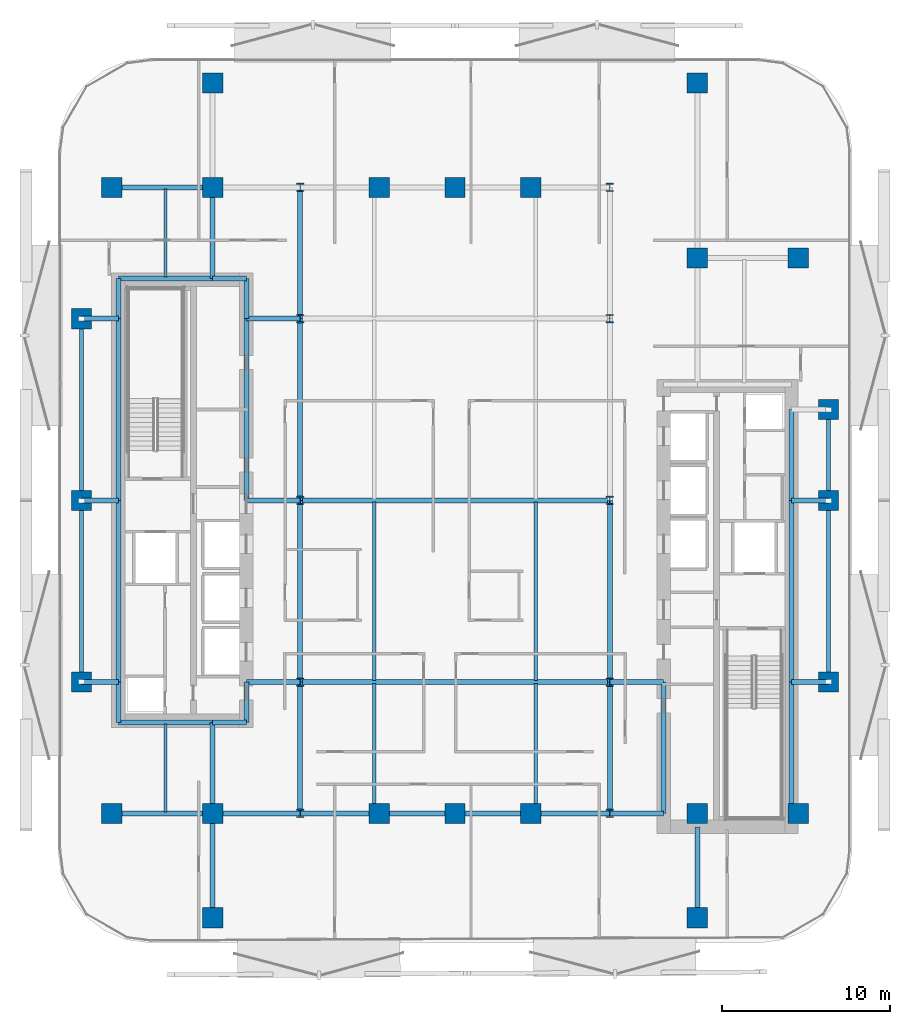
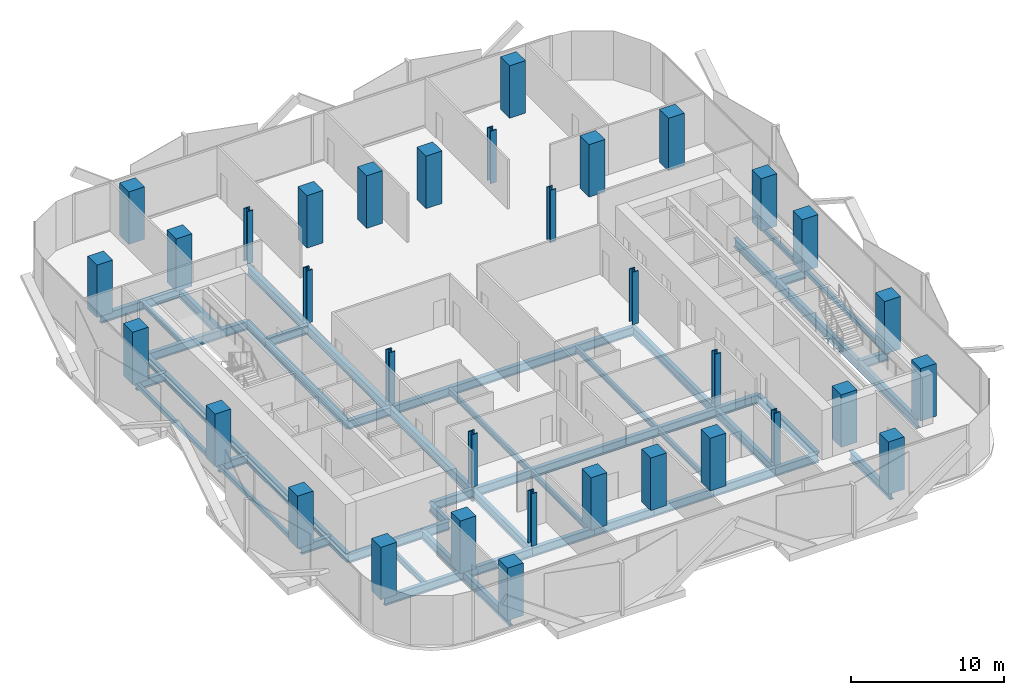
# One storey, part 1 of 16: 54 beams, 34 columns.
"""IFC4 building model written with IfcOpenShell, lengths in metres."""

from ifc_helpers import new_model, si_unit, direction, frame, origin, origin_2d, place, context, subcontext, project, spatial, rectangle, hollow_rectangle, i_section, extrude, material, material_profile, profile_set, type_object, element, save


model = new_model("IFC4")

# Units and contexts
model_context = context("Model", 3, precision=1e-05, world=origin(), true_north=direction((0.0, 1.0)))
body_context = subcontext(model_context, "Body", "Model", "MODEL_VIEW")
ifc_project = project(units=[si_unit("LENGTHUNIT", "METRE"), si_unit("AREAUNIT", "SQUARE_METRE"), si_unit("VOLUMEUNIT", "CUBIC_METRE"), si_unit("PLANEANGLEUNIT", "RADIAN"), si_unit("MASSUNIT", "GRAM", prefix="KILO")], contexts=[model_context])

# Site, building, storey
site_placement = place(None, origin())
site = spatial("IfcSite", under=ifc_project, at=site_placement, CompositionType="ELEMENT")
building_placement = place(site_placement, origin())
building = spatial("IfcBuilding", under=site, at=building_placement, Name="Khairoan Windgate Tower", CompositionType="ELEMENT")
storey_placement = place(building_placement, frame((0.0, 0.0, 139.39990234375)))
storey = spatial("IfcBuildingStorey", under=building, at=storey_placement, Name="L32", CompositionType="ELEMENT", Elevation=139.39990234375)

# Columns
ifc_material_1 = material(Name="Concrete C60/75", Category="concrete")
ifc_material_profile_1 = material_profile(ifc_material_1, rectangle(XDim=1.199951171875, YDim=1.199951171875, at=origin_2d()))
ifc_profile_set_1 = profile_set([ifc_material_profile_1], Name="Concrete C60/75")
column_type_1 = type_object("IfcColumnType", Name="Column C-T3 RC1200x1200", PredefinedType="COLUMN", material=ifc_profile_set_1)
for number, where, z_axis, x_axis, name in (
    (1, (-20.39990234375, -18.60009765625, 0.0), (0.0, 0.0, 1.0), (1.0, 0.0, 0.0), "Column L32-11"),
    (2, (-20.39990234375, 18.60009765625, 0.0), (0.0, 0.0, 1.0), (1.0, 0.0, 0.0), "Column L32-12"),
    (3, (20.39990234375, -18.60009765625, 0.0), (0.0, 0.0, 1.0), (1.0, 0.0, 0.0), "Column L32-13"),
    (4, (20.39990234375, 14.39990234375, 0.0), (0.0, 0.0, 1.0), (1.0, 0.0, 0.0), "Column L32-14"),
    (5, (-14.39990234375, -18.60009765625, 0.0), (0.0, 0.0, 1.0), (1.0, 0.0, 0.0), "Column L32-15"),
    (6, (-14.39990234375, 18.60009765625, 0.0), (0.0, 0.0, 1.0), (1.0, 0.0, 0.0), "Column L32-16"),
    (7, (14.39990234375, -18.60009765625, 0.0), (0.0, 0.0, 1.0), (1.0, 0.0, 0.0), "Column L32-17"),
    (8, (14.39990234375, 14.39990234375, 0.0), (0.0, 0.0, 1.0), (1.0, 0.0, 0.0), "Column L32-18"),
    (9, (-4.5, -18.60009765625, 0.0), (0.0, 0.0, 1.0), (1.0, 0.0, 0.0), "Column L32-19"),
    (10, (0.0, -18.60009765625, 0.0), (0.0, 0.0, 1.0), (1.0, 0.0, 0.0), "Column L32-20"),
    (11, (4.5, -18.60009765625, 0.0), (0.0, 0.0, 1.0), (1.0, 0.0, 0.0), "Column L32-21"),
    (12, (-4.5, 18.60009765625, 0.0), (0.0, 0.0, 1.0), (1.0, 0.0, 0.0), "Column L32-22"),
    (13, (0.0, 18.60009765625, 0.0), (0.0, 0.0, 1.0), (1.0, 0.0, 0.0), "Column L32-23"),
    (14, (4.5, 18.60009765625, 0.0), (0.0, 0.0, 1.0), (1.0, 0.0, 0.0), "Column L32-24"),
    (15, (-22.199951171875, -10.800048828125, 0.0), (0.0, 0.0, 1.0), (1.0, 0.0, 0.0), "Column L32-25"),
    (16, (-22.199951171875, 0.0, 0.0), (0.0, 0.0, 1.0), (1.0, 0.0, 0.0), "Column L32-26"),
    (17, (-22.199951171875, 10.800048828125, 0.0), (0.0, 0.0, 1.0), (1.0, 0.0, 0.0), "Column L32-27"),
    (18, (22.199951171875, -10.800048828125, 0.0), (0.0, 0.0, 1.0), (1.0, 0.0, 0.0), "Column L32-28"),
    (19, (22.199951171875, 0.0, 0.0), (0.0, 0.0, 1.0), (1.0, 0.0, 0.0), "Column L32-29"),
    (20, (22.199951171875, 5.39990234375, 0.0), (0.0, 0.0, 1.0), (1.0, 0.0, 0.0), "Column L32-30"),
    (21, (-14.39990234375, -24.800048828125, 0.0), (0.0, 0.0, 1.0), (1.0, 0.0, 0.0), "Column L32-31"),
    (22, (-14.39990234375, 24.800048828125, 0.0), (0.0, 0.0, 1.0), (1.0, 0.0, 0.0), "Column L32-32"),
    (23, (14.39990234375, -24.800048828125, 0.0), (0.0, 0.0, 1.0), (1.0, 0.0, 0.0), "Column L32-33"),
    (24, (14.39990234375, 24.800048828125, 0.0), (0.0, 0.0, 1.0), (1.0, 0.0, 0.0), "Column L32-34"),
):
    element("IfcColumn", number, at=place(storey_placement, frame(where, z_axis=z_axis, x_axis=x_axis)), inside=storey, type_object=column_type_1, Name=name, PredefinedType="COLUMN", context=body_context, shape_type="SweptSolid", body=[
        extrude(rectangle(XDim=1.199951171875, YDim=1.199951171875, at=origin_2d()), origin(), (0.0, 0.0, 1.0), 4.2001953125),
    ])
ifc_material_2 = material(Name="Steel S355", Category="steel")
ifc_material_profile_2 = material_profile(ifc_material_2, i_section(OverallWidth=0.431884765625, OverallDepth=0.498046875, WebThickness=0.044921875, FlangeThickness=0.070068359375, FilletRadius=0.02197265625, at=origin_2d()))
ifc_profile_set_2 = profile_set([ifc_material_profile_2], Name="Steel S355")
column_type_2 = type_object("IfcColumnType", Name="Steel Column SC1 H498x432x45x70", PredefinedType="COLUMN", material=ifc_profile_set_2)
for number, where, z_axis, x_axis, name in (
    (25, (-9.199951171875, -18.60009765625, 0.0), (0.0, 0.0, 1.0), (1.0, 0.0, 0.0), "Column L32-01"),
    (26, (-9.199951171875, -10.800048828125, 0.0), (0.0, 0.0, 1.0), (1.0, 0.0, 0.0), "Column L32-02"),
    (27, (-9.199951171875, 0.0, 0.0), (0.0, 0.0, 1.0), (1.0, 0.0, 0.0), "Column L32-03"),
    (28, (-9.199951171875, 10.800048828125, 0.0), (0.0, 0.0, 1.0), (1.0, 0.0, 0.0), "Column L32-04"),
    (29, (-9.199951171875, 18.60009765625, 0.0), (0.0, 0.0, 1.0), (1.0, 0.0, 0.0), "Column L32-05"),
    (30, (9.199951171875, -18.60009765625, 0.0), (0.0, 0.0, 1.0), (1.0, 0.0, 0.0), "Column L32-06"),
    (31, (9.199951171875, -10.800048828125, 0.0), (0.0, 0.0, 1.0), (1.0, 0.0, 0.0), "Column L32-07"),
    (32, (9.199951171875, 0.0, 0.0), (0.0, 0.0, 1.0), (1.0, 0.0, 0.0), "Column L32-08"),
    (33, (9.199951171875, 10.800048828125, 0.0), (0.0, 0.0, 1.0), (1.0, 0.0, 0.0), "Column L32-09"),
    (34, (9.199951171875, 18.60009765625, 0.0), (0.0, 0.0, 1.0), (1.0, 0.0, 0.0), "Column L32-10"),
):
    element("IfcColumn", number, at=place(storey_placement, frame(where, z_axis=z_axis, x_axis=x_axis)), inside=storey, type_object=column_type_2, Name=name, PredefinedType="COLUMN", context=body_context, shape_type="SweptSolid", body=[
        extrude(i_section(OverallWidth=0.431884765625, OverallDepth=0.498046875, WebThickness=0.044921875, FlangeThickness=0.070068359375, FilletRadius=0.02197265625, at=origin_2d()), origin(), (0.0, 0.0, 1.0), 4.2001953125),
    ])

# Beams
ifc_material_3 = material(Name="Steel S355", Category="steel")
ifc_material_profile_3 = material_profile(ifc_material_3, i_section(OverallWidth=0.300048828125, OverallDepth=0.699951171875, WebThickness=0.012939453125, FlangeThickness=0.02392578125, FilletRadius=0.02587890625, at=origin_2d()))
ifc_profile_set_3 = profile_set([ifc_material_profile_3], Name="Steel S355")
beam_type_1 = type_object("IfcBeamType", Name="Beam B-G3 H700x300x13x24", PredefinedType="BEAM", material=ifc_profile_set_3)
beam_1_placement = place(storey_placement, frame((-20.39990234375, -18.60009765625, -0.60986328125), z_axis=(1.0, 0.0, 0.0), x_axis=(0.0, 1.0, 0.0)))
element("IfcBeam", 35, at=beam_1_placement, inside=storey, type_object=beam_type_1, Name="L32 E-W Primary Girder 01", PredefinedType="BEAM", context=body_context, shape_type="SweptSolid", body=[
    extrude(i_section(OverallWidth=0.300048828125, OverallDepth=0.699951171875, WebThickness=0.012939453125, FlangeThickness=0.02392578125, FilletRadius=0.02587890625, at=origin_2d()), origin(), (0.0, 0.0, 1.0), 6.0),
])
beam_2_placement = place(storey_placement, frame((-14.39990234375, -18.60009765625, -0.60986328125), z_axis=(1.0, 0.0, 0.0), x_axis=(0.0, 1.0, 0.0)))
element("IfcBeam", 36, at=beam_2_placement, inside=storey, type_object=beam_type_1, Name="L32 E-W Primary Girder 02", PredefinedType="BEAM", context=body_context, shape_type="SweptSolid", body=[
    extrude(i_section(OverallWidth=0.300048828125, OverallDepth=0.699951171875, WebThickness=0.012939453125, FlangeThickness=0.02392578125, FilletRadius=0.02587890625, at=origin_2d()), origin(), (0.0, 0.0, 1.0), 5.199951171875),
])
beam_3_placement = place(storey_placement, frame((-9.199951171875, -18.60009765625, -0.60986328125), z_axis=(1.0, 0.0, 0.0), x_axis=(0.0, 1.0, 0.0)))
element("IfcBeam", 37, at=beam_3_placement, inside=storey, type_object=beam_type_1, Name="L32 E-W Primary Girder 03", PredefinedType="BEAM", context=body_context, shape_type="SweptSolid", body=[
    extrude(i_section(OverallWidth=0.300048828125, OverallDepth=0.699951171875, WebThickness=0.012939453125, FlangeThickness=0.02392578125, FilletRadius=0.02587890625, at=origin_2d()), origin(), (0.0, 0.0, 1.0), 4.699951171875),
])
for number, where, z_axis, x_axis, name in (
    (38, (-4.5, -18.60009765625, -0.60986328125), (1.0, 0.0, 0.0), (0.0, 1.0, 0.0), "L32 E-W Primary Girder 04"),
    (39, (0.0, -18.60009765625, -0.60986328125), (1.0, 0.0, 0.0), (0.0, 1.0, 0.0), "L32 E-W Primary Girder 05"),
):
    element("IfcBeam", number, at=place(storey_placement, frame(where, z_axis=z_axis, x_axis=x_axis)), inside=storey, type_object=beam_type_1, Name=name, PredefinedType="BEAM", context=body_context, shape_type="SweptSolid", body=[
        extrude(i_section(OverallWidth=0.300048828125, OverallDepth=0.699951171875, WebThickness=0.012939453125, FlangeThickness=0.02392578125, FilletRadius=0.02587890625, at=origin_2d()), origin(), (0.0, 0.0, 1.0), 4.5),
    ])
beam_4_placement = place(storey_placement, frame((4.5, -18.60009765625, -0.60986328125), z_axis=(1.0, 0.0, 0.0), x_axis=(0.0, 1.0, 0.0)))
element("IfcBeam", 40, at=beam_4_placement, inside=storey, type_object=beam_type_1, Name="L32 E-W Primary Girder 06", PredefinedType="BEAM", context=body_context, shape_type="SweptSolid", body=[
    extrude(i_section(OverallWidth=0.300048828125, OverallDepth=0.699951171875, WebThickness=0.012939453125, FlangeThickness=0.02392578125, FilletRadius=0.02587890625, at=origin_2d()), origin(), (0.0, 0.0, 1.0), 4.699951171875),
])
beam_5_placement = place(storey_placement, frame((9.199951171875, -18.60009765625, -0.60986328125), z_axis=(1.0, 0.0, 0.0), x_axis=(0.0, 1.0, 0.0)))
element("IfcBeam", 41, at=beam_5_placement, inside=storey, type_object=beam_type_1, Name="L32 E-W Primary Girder 07", PredefinedType="BEAM", context=body_context, shape_type="SweptSolid", body=[
    extrude(i_section(OverallWidth=0.300048828125, OverallDepth=0.699951171875, WebThickness=0.012939453125, FlangeThickness=0.02392578125, FilletRadius=0.02587890625, at=origin_2d()), origin(), (0.0, 0.0, 1.0), 3.199951171875),
])
beam_6_placement = place(storey_placement, frame((-20.0, -13.199951171875, -0.60986328125), z_axis=(1.0, 0.0, 0.0), x_axis=(0.0, 1.0, 0.0)))
element("IfcBeam", 42, at=beam_6_placement, inside=storey, type_object=beam_type_1, Name="L32 E-W Primary Girder 08", PredefinedType="BEAM", context=body_context, shape_type="SweptSolid", body=[
    extrude(i_section(OverallWidth=0.300048828125, OverallDepth=0.699951171875, WebThickness=0.012939453125, FlangeThickness=0.02392578125, FilletRadius=0.02587890625, at=origin_2d()), origin(), (0.0, 0.0, 1.0), 5.60009765625),
])
beam_7_placement = place(storey_placement, frame((-14.39990234375, -13.199951171875, -0.60986328125), z_axis=(1.0, 0.0, 0.0), x_axis=(0.0, 1.0, 0.0)))
element("IfcBeam", 43, at=beam_7_placement, inside=storey, type_object=beam_type_1, Name="L32 E-W Primary Girder 09", PredefinedType="BEAM", context=body_context, shape_type="SweptSolid", body=[
    extrude(i_section(OverallWidth=0.300048828125, OverallDepth=0.699951171875, WebThickness=0.012939453125, FlangeThickness=0.02392578125, FilletRadius=0.02587890625, at=origin_2d()), origin(), (0.0, 0.0, 1.0), 2.0),
])
beam_8_placement = place(storey_placement, frame((-22.199951171875, -10.800048828125, -0.60986328125), z_axis=(1.0, 0.0, 0.0), x_axis=(0.0, 1.0, 0.0)))
element("IfcBeam", 44, at=beam_8_placement, inside=storey, type_object=beam_type_1, Name="L32 E-W Primary Girder 10", PredefinedType="BEAM", context=body_context, shape_type="SweptSolid", body=[
    extrude(i_section(OverallWidth=0.300048828125, OverallDepth=0.699951171875, WebThickness=0.012939453125, FlangeThickness=0.02392578125, FilletRadius=0.02587890625, at=origin_2d()), origin(), (0.0, 0.0, 1.0), 2.199951171875),
])
beam_9_placement = place(storey_placement, frame((-12.39990234375, -10.800048828125, -0.60986328125), z_axis=(1.0, 0.0, 0.0), x_axis=(0.0, 1.0, 0.0)))
element("IfcBeam", 45, at=beam_9_placement, inside=storey, type_object=beam_type_1, Name="L32 E-W Primary Girder 11", PredefinedType="BEAM", context=body_context, shape_type="SweptSolid", body=[
    extrude(i_section(OverallWidth=0.300048828125, OverallDepth=0.699951171875, WebThickness=0.012939453125, FlangeThickness=0.02392578125, FilletRadius=0.02587890625, at=origin_2d()), origin(), (0.0, 0.0, 1.0), 3.199951171875),
])
beam_10_placement = place(storey_placement, frame((-9.199951171875, -10.800048828125, -0.60986328125), z_axis=(1.0, 0.0, 0.0), x_axis=(0.0, 1.0, 0.0)))
element("IfcBeam", 46, at=beam_10_placement, inside=storey, type_object=beam_type_1, Name="L32 E-W Primary Girder 12", PredefinedType="BEAM", context=body_context, shape_type="SweptSolid", body=[
    extrude(i_section(OverallWidth=0.300048828125, OverallDepth=0.699951171875, WebThickness=0.012939453125, FlangeThickness=0.02392578125, FilletRadius=0.02587890625, at=origin_2d()), origin(), (0.0, 0.0, 1.0), 18.39990234375),
])
beam_11_placement = place(storey_placement, frame((9.199951171875, -10.800048828125, -0.60986328125), z_axis=(1.0, 0.0, 0.0), x_axis=(0.0, 1.0, 0.0)))
element("IfcBeam", 47, at=beam_11_placement, inside=storey, type_object=beam_type_1, Name="L32 E-W Primary Girder 13", PredefinedType="BEAM", context=body_context, shape_type="SweptSolid", body=[
    extrude(i_section(OverallWidth=0.300048828125, OverallDepth=0.699951171875, WebThickness=0.012939453125, FlangeThickness=0.02392578125, FilletRadius=0.02587890625, at=origin_2d()), origin(), (0.0, 0.0, 1.0), 3.199951171875),
])
for number, where, z_axis, x_axis, name in (
    (48, (20.0, -10.800048828125, -0.60986328125), (1.0, 0.0, 0.0), (0.0, 1.0, 0.0), "L32 E-W Primary Girder 14"),
    (49, (-22.199951171875, 0.0, -0.60986328125), (1.0, 0.0, 0.0), (0.0, 1.0, 0.0), "L32 E-W Primary Girder 15"),
):
    element("IfcBeam", number, at=place(storey_placement, frame(where, z_axis=z_axis, x_axis=x_axis)), inside=storey, type_object=beam_type_1, Name=name, PredefinedType="BEAM", context=body_context, shape_type="SweptSolid", body=[
        extrude(i_section(OverallWidth=0.300048828125, OverallDepth=0.699951171875, WebThickness=0.012939453125, FlangeThickness=0.02392578125, FilletRadius=0.02587890625, at=origin_2d()), origin(), (0.0, 0.0, 1.0), 2.199951171875),
    ])
beam_12_placement = place(storey_placement, frame((-12.39990234375, 0.0, -0.60986328125), z_axis=(1.0, 0.0, 0.0), x_axis=(0.0, 1.0, 0.0)))
element("IfcBeam", 50, at=beam_12_placement, inside=storey, type_object=beam_type_1, Name="L32 E-W Primary Girder 16", PredefinedType="BEAM", context=body_context, shape_type="SweptSolid", body=[
    extrude(i_section(OverallWidth=0.300048828125, OverallDepth=0.699951171875, WebThickness=0.012939453125, FlangeThickness=0.02392578125, FilletRadius=0.02587890625, at=origin_2d()), origin(), (0.0, 0.0, 1.0), 3.199951171875),
])
beam_13_placement = place(storey_placement, frame((-9.199951171875, 0.0, -0.60986328125), z_axis=(1.0, 0.0, 0.0), x_axis=(0.0, 1.0, 0.0)))
element("IfcBeam", 51, at=beam_13_placement, inside=storey, type_object=beam_type_1, Name="L32 E-W Primary Girder 17", PredefinedType="BEAM", context=body_context, shape_type="SweptSolid", body=[
    extrude(i_section(OverallWidth=0.300048828125, OverallDepth=0.699951171875, WebThickness=0.012939453125, FlangeThickness=0.02392578125, FilletRadius=0.02587890625, at=origin_2d()), origin(), (0.0, 0.0, 1.0), 18.39990234375),
])
for number, where, z_axis, x_axis, name in (
    (52, (20.0, 0.0, -0.60986328125), (1.0, 0.0, 0.0), (0.0, 1.0, 0.0), "L32 E-W Primary Girder 18"),
    (53, (-22.199951171875, 10.800048828125, -0.60986328125), (1.0, 0.0, 0.0), (0.0, 1.0, 0.0), "L32 E-W Primary Girder 22"),
):
    element("IfcBeam", number, at=place(storey_placement, frame(where, z_axis=z_axis, x_axis=x_axis)), inside=storey, type_object=beam_type_1, Name=name, PredefinedType="BEAM", context=body_context, shape_type="SweptSolid", body=[
        extrude(i_section(OverallWidth=0.300048828125, OverallDepth=0.699951171875, WebThickness=0.012939453125, FlangeThickness=0.02392578125, FilletRadius=0.02587890625, at=origin_2d()), origin(), (0.0, 0.0, 1.0), 2.199951171875),
    ])
beam_14_placement = place(storey_placement, frame((-12.39990234375, 10.800048828125, -0.60986328125), z_axis=(1.0, 0.0, 0.0), x_axis=(0.0, 1.0, 0.0)))
element("IfcBeam", 54, at=beam_14_placement, inside=storey, type_object=beam_type_1, Name="L32 E-W Primary Girder 23", PredefinedType="BEAM", context=body_context, shape_type="SweptSolid", body=[
    extrude(i_section(OverallWidth=0.300048828125, OverallDepth=0.699951171875, WebThickness=0.012939453125, FlangeThickness=0.02392578125, FilletRadius=0.02587890625, at=origin_2d()), origin(), (0.0, 0.0, 1.0), 3.199951171875),
])
beam_15_placement = place(storey_placement, frame((-20.0, 13.199951171875, -0.60986328125), z_axis=(1.0, 0.0, 0.0), x_axis=(0.0, 1.0, 0.0)))
element("IfcBeam", 55, at=beam_15_placement, inside=storey, type_object=beam_type_1, Name="L32 E-W Primary Girder 25", PredefinedType="BEAM", context=body_context, shape_type="SweptSolid", body=[
    extrude(i_section(OverallWidth=0.300048828125, OverallDepth=0.699951171875, WebThickness=0.012939453125, FlangeThickness=0.02392578125, FilletRadius=0.02587890625, at=origin_2d()), origin(), (0.0, 0.0, 1.0), 5.60009765625),
])
beam_16_placement = place(storey_placement, frame((-14.39990234375, 13.199951171875, -0.60986328125), z_axis=(1.0, 0.0, 0.0), x_axis=(0.0, 1.0, 0.0)))
element("IfcBeam", 56, at=beam_16_placement, inside=storey, type_object=beam_type_1, Name="L32 E-W Primary Girder 26", PredefinedType="BEAM", context=body_context, shape_type="SweptSolid", body=[
    extrude(i_section(OverallWidth=0.300048828125, OverallDepth=0.699951171875, WebThickness=0.012939453125, FlangeThickness=0.02392578125, FilletRadius=0.02587890625, at=origin_2d()), origin(), (0.0, 0.0, 1.0), 2.0),
])
beam_17_placement = place(storey_placement, frame((-20.39990234375, 18.60009765625, -0.60986328125), z_axis=(1.0, 0.0, 0.0), x_axis=(0.0, 1.0, 0.0)))
element("IfcBeam", 57, at=beam_17_placement, inside=storey, type_object=beam_type_1, Name="L32 E-W Primary Girder 28", PredefinedType="BEAM", context=body_context, shape_type="SweptSolid", body=[
    extrude(i_section(OverallWidth=0.300048828125, OverallDepth=0.699951171875, WebThickness=0.012939453125, FlangeThickness=0.02392578125, FilletRadius=0.02587890625, at=origin_2d()), origin(), (0.0, 0.0, 1.0), 6.0),
])
beam_18_placement = place(storey_placement, frame((-20.0, -13.199951171875, -0.60986328125), z_axis=(0.0, 1.0, 0.0), x_axis=(-1.0, 0.0, 0.0)))
element("IfcBeam", 58, at=beam_18_placement, inside=storey, type_object=beam_type_1, Name="L32 N-S Primary Beam 36", PredefinedType="BEAM", context=body_context, shape_type="SweptSolid", body=[
    extrude(i_section(OverallWidth=0.300048828125, OverallDepth=0.699951171875, WebThickness=0.012939453125, FlangeThickness=0.02392578125, FilletRadius=0.02587890625, at=origin_2d()), origin(), (0.0, 0.0, 1.0), 2.39990234375),
])
for number, where, z_axis, x_axis, name in (
    (59, (-20.0, -10.800048828125, -0.60986328125), (0.0, 1.0, 0.0), (-1.0, 0.0, 0.0), "L32 N-S Primary Beam 37"),
    (60, (-20.0, 0.0, -0.60986328125), (0.0, 1.0, 0.0), (-1.0, 0.0, 0.0), "L32 N-S Primary Beam 38"),
):
    element("IfcBeam", number, at=place(storey_placement, frame(where, z_axis=z_axis, x_axis=x_axis)), inside=storey, type_object=beam_type_1, Name=name, PredefinedType="BEAM", context=body_context, shape_type="SweptSolid", body=[
        extrude(i_section(OverallWidth=0.300048828125, OverallDepth=0.699951171875, WebThickness=0.012939453125, FlangeThickness=0.02392578125, FilletRadius=0.02587890625, at=origin_2d()), origin(), (0.0, 0.0, 1.0), 10.800048828125),
    ])
beam_19_placement = place(storey_placement, frame((-20.0, 10.800048828125, -0.60986328125), z_axis=(0.0, 1.0, 0.0), x_axis=(-1.0, 0.0, 0.0)))
element("IfcBeam", 61, at=beam_19_placement, inside=storey, type_object=beam_type_1, Name="L32 N-S Primary Beam 39", PredefinedType="BEAM", context=body_context, shape_type="SweptSolid", body=[
    extrude(i_section(OverallWidth=0.300048828125, OverallDepth=0.699951171875, WebThickness=0.012939453125, FlangeThickness=0.02392578125, FilletRadius=0.02587890625, at=origin_2d()), origin(), (0.0, 0.0, 1.0), 2.39990234375),
])
beam_20_placement = place(storey_placement, frame((-14.39990234375, -24.800048828125, -0.60986328125), z_axis=(0.0, 1.0, 0.0), x_axis=(-1.0, 0.0, 0.0)))
element("IfcBeam", 62, at=beam_20_placement, inside=storey, type_object=beam_type_1, Name="L32 N-S Primary Beam 40", PredefinedType="BEAM", context=body_context, shape_type="SweptSolid", body=[
    extrude(i_section(OverallWidth=0.300048828125, OverallDepth=0.699951171875, WebThickness=0.012939453125, FlangeThickness=0.02392578125, FilletRadius=0.02587890625, at=origin_2d()), origin(), (0.0, 0.0, 1.0), 6.199951171875),
])
for number, where, z_axis, x_axis, name in (
    (63, (-14.39990234375, -18.60009765625, -0.60986328125), (0.0, 1.0, 0.0), (-1.0, 0.0, 0.0), "L32 N-S Primary Beam 41"),
    (64, (-14.39990234375, 13.199951171875, -0.60986328125), (0.0, 1.0, 0.0), (-1.0, 0.0, 0.0), "L32 N-S Primary Beam 42"),
):
    element("IfcBeam", number, at=place(storey_placement, frame(where, z_axis=z_axis, x_axis=x_axis)), inside=storey, type_object=beam_type_1, Name=name, PredefinedType="BEAM", context=body_context, shape_type="SweptSolid", body=[
        extrude(i_section(OverallWidth=0.300048828125, OverallDepth=0.699951171875, WebThickness=0.012939453125, FlangeThickness=0.02392578125, FilletRadius=0.02587890625, at=origin_2d()), origin(), (0.0, 0.0, 1.0), 5.400146484375),
    ])
beam_21_placement = place(storey_placement, frame((-12.39990234375, -13.199951171875, -0.60986328125), z_axis=(0.0, 1.0, 0.0), x_axis=(-1.0, 0.0, 0.0)))
element("IfcBeam", 65, at=beam_21_placement, inside=storey, type_object=beam_type_1, Name="L32 N-S Primary Beam 44", PredefinedType="BEAM", context=body_context, shape_type="SweptSolid", body=[
    extrude(i_section(OverallWidth=0.300048828125, OverallDepth=0.699951171875, WebThickness=0.012939453125, FlangeThickness=0.02392578125, FilletRadius=0.02587890625, at=origin_2d()), origin(), (0.0, 0.0, 1.0), 2.39990234375),
])
beam_22_placement = place(storey_placement, frame((-12.39990234375, 0.0, -0.60986328125), z_axis=(0.0, 1.0, 0.0), x_axis=(-1.0, 0.0, 0.0)))
element("IfcBeam", 66, at=beam_22_placement, inside=storey, type_object=beam_type_1, Name="L32 N-S Primary Beam 45", PredefinedType="BEAM", context=body_context, shape_type="SweptSolid", body=[
    extrude(i_section(OverallWidth=0.300048828125, OverallDepth=0.699951171875, WebThickness=0.012939453125, FlangeThickness=0.02392578125, FilletRadius=0.02587890625, at=origin_2d()), origin(), (0.0, 0.0, 1.0), 10.800048828125),
])
beam_23_placement = place(storey_placement, frame((-12.39990234375, 10.800048828125, -0.60986328125), z_axis=(0.0, 1.0, 0.0), x_axis=(-1.0, 0.0, 0.0)))
element("IfcBeam", 67, at=beam_23_placement, inside=storey, type_object=beam_type_1, Name="L32 N-S Primary Beam 46", PredefinedType="BEAM", context=body_context, shape_type="SweptSolid", body=[
    extrude(i_section(OverallWidth=0.300048828125, OverallDepth=0.699951171875, WebThickness=0.012939453125, FlangeThickness=0.02392578125, FilletRadius=0.02587890625, at=origin_2d()), origin(), (0.0, 0.0, 1.0), 2.39990234375),
])
beam_24_placement = place(storey_placement, frame((-9.199951171875, -18.60009765625, -0.60986328125), z_axis=(0.0, 1.0, 0.0), x_axis=(-1.0, 0.0, 0.0)))
element("IfcBeam", 68, at=beam_24_placement, inside=storey, type_object=beam_type_1, Name="L32 N-S Primary Beam 47", PredefinedType="BEAM", context=body_context, shape_type="SweptSolid", body=[
    extrude(i_section(OverallWidth=0.300048828125, OverallDepth=0.699951171875, WebThickness=0.012939453125, FlangeThickness=0.02392578125, FilletRadius=0.02587890625, at=origin_2d()), origin(), (0.0, 0.0, 1.0), 7.800048828125),
])
for number, where, z_axis, x_axis, name in (
    (69, (-9.199951171875, -10.800048828125, -0.60986328125), (0.0, 1.0, 0.0), (-1.0, 0.0, 0.0), "L32 N-S Primary Beam 48"),
    (70, (-9.199951171875, 0.0, -0.60986328125), (0.0, 1.0, 0.0), (-1.0, 0.0, 0.0), "L32 N-S Primary Beam 49"),
):
    element("IfcBeam", number, at=place(storey_placement, frame(where, z_axis=z_axis, x_axis=x_axis)), inside=storey, type_object=beam_type_1, Name=name, PredefinedType="BEAM", context=body_context, shape_type="SweptSolid", body=[
        extrude(i_section(OverallWidth=0.300048828125, OverallDepth=0.699951171875, WebThickness=0.012939453125, FlangeThickness=0.02392578125, FilletRadius=0.02587890625, at=origin_2d()), origin(), (0.0, 0.0, 1.0), 10.800048828125),
    ])
for number, where, z_axis, x_axis, name in (
    (71, (-9.199951171875, 10.800048828125, -0.60986328125), (0.0, 1.0, 0.0), (-1.0, 0.0, 0.0), "L32 N-S Primary Beam 50"),
    (72, (9.199951171875, -18.60009765625, -0.60986328125), (0.0, 1.0, 0.0), (-1.0, 0.0, 0.0), "L32 N-S Primary Beam 51"),
):
    element("IfcBeam", number, at=place(storey_placement, frame(where, z_axis=z_axis, x_axis=x_axis)), inside=storey, type_object=beam_type_1, Name=name, PredefinedType="BEAM", context=body_context, shape_type="SweptSolid", body=[
        extrude(i_section(OverallWidth=0.300048828125, OverallDepth=0.699951171875, WebThickness=0.012939453125, FlangeThickness=0.02392578125, FilletRadius=0.02587890625, at=origin_2d()), origin(), (0.0, 0.0, 1.0), 7.800048828125),
    ])
beam_25_placement = place(storey_placement, frame((9.199951171875, -10.800048828125, -0.60986328125), z_axis=(0.0, 1.0, 0.0), x_axis=(-1.0, 0.0, 0.0)))
element("IfcBeam", 73, at=beam_25_placement, inside=storey, type_object=beam_type_1, Name="L32 N-S Primary Beam 52", PredefinedType="BEAM", context=body_context, shape_type="SweptSolid", body=[
    extrude(i_section(OverallWidth=0.300048828125, OverallDepth=0.699951171875, WebThickness=0.012939453125, FlangeThickness=0.02392578125, FilletRadius=0.02587890625, at=origin_2d()), origin(), (0.0, 0.0, 1.0), 10.800048828125),
])
beam_26_placement = place(storey_placement, frame((12.39990234375, -18.60009765625, -0.60986328125), z_axis=(0.0, 1.0, 0.0), x_axis=(-1.0, 0.0, 0.0)))
element("IfcBeam", 74, at=beam_26_placement, inside=storey, type_object=beam_type_1, Name="L32 N-S Primary Beam 55", PredefinedType="BEAM", context=body_context, shape_type="SweptSolid", body=[
    extrude(i_section(OverallWidth=0.300048828125, OverallDepth=0.699951171875, WebThickness=0.012939453125, FlangeThickness=0.02392578125, FilletRadius=0.02587890625, at=origin_2d()), origin(), (0.0, 0.0, 1.0), 7.800048828125),
])
beam_27_placement = place(storey_placement, frame((14.39990234375, -24.800048828125, -0.60986328125), z_axis=(0.0, 1.0, 0.0), x_axis=(-1.0, 0.0, 0.0)))
element("IfcBeam", 75, at=beam_27_placement, inside=storey, type_object=beam_type_1, Name="L32 N-S Primary Beam 56", PredefinedType="BEAM", context=body_context, shape_type="SweptSolid", body=[
    extrude(i_section(OverallWidth=0.300048828125, OverallDepth=0.699951171875, WebThickness=0.012939453125, FlangeThickness=0.02392578125, FilletRadius=0.02587890625, at=origin_2d()), origin(), (0.0, 0.0, 1.0), 5.400146484375),
])
beam_28_placement = place(storey_placement, frame((20.0, -18.60009765625, -0.60986328125), z_axis=(0.0, 1.0, 0.0), x_axis=(-1.0, 0.0, 0.0)))
element("IfcBeam", 76, at=beam_28_placement, inside=storey, type_object=beam_type_1, Name="L32 N-S Primary Beam 59", PredefinedType="BEAM", context=body_context, shape_type="SweptSolid", body=[
    extrude(i_section(OverallWidth=0.300048828125, OverallDepth=0.699951171875, WebThickness=0.012939453125, FlangeThickness=0.02392578125, FilletRadius=0.02587890625, at=origin_2d()), origin(), (0.0, 0.0, 1.0), 7.800048828125),
])
beam_29_placement = place(storey_placement, frame((20.0, -10.800048828125, -0.60986328125), z_axis=(0.0, 1.0, 0.0), x_axis=(-1.0, 0.0, 0.0)))
element("IfcBeam", 77, at=beam_29_placement, inside=storey, type_object=beam_type_1, Name="L32 N-S Primary Beam 60", PredefinedType="BEAM", context=body_context, shape_type="SweptSolid", body=[
    extrude(i_section(OverallWidth=0.300048828125, OverallDepth=0.699951171875, WebThickness=0.012939453125, FlangeThickness=0.02392578125, FilletRadius=0.02587890625, at=origin_2d()), origin(), (0.0, 0.0, 1.0), 10.800048828125),
])
beam_30_placement = place(storey_placement, frame((20.0, 0.0, -0.60986328125), z_axis=(0.0, 1.0, 0.0), x_axis=(-1.0, 0.0, 0.0)))
element("IfcBeam", 78, at=beam_30_placement, inside=storey, type_object=beam_type_1, Name="L32 N-S Primary Beam 61", PredefinedType="BEAM", context=body_context, shape_type="SweptSolid", body=[
    extrude(i_section(OverallWidth=0.300048828125, OverallDepth=0.699951171875, WebThickness=0.012939453125, FlangeThickness=0.02392578125, FilletRadius=0.02587890625, at=origin_2d()), origin(), (0.0, 0.0, 1.0), 5.39990234375),
])
ifc_material_4 = material(Name="Steel S355", Category="steel")
ifc_material_profile_4 = material_profile(ifc_material_4, i_section(OverallWidth=0.199951171875, OverallDepth=0.449951171875, WebThickness=0.009033203125, FlangeThickness=0.013916015625, FilletRadius=0.01806640625, at=origin_2d()))
ifc_profile_set_4 = profile_set([ifc_material_profile_4], Name="Steel S355")
beam_type_2 = type_object("IfcBeamType", Name="Beam J-S3 H450x200x9x14", PredefinedType="JOIST", material=ifc_profile_set_4)
for number, where, z_axis, x_axis, name in (
    (79, (-17.199951171875, -18.510009765625, -0.48486328125), (0.0, 1.0, 0.0), (-1.0, 0.0, 0.0), "L32 Secondary Floor Joist 01"),
    (80, (-17.199951171875, 13.2900390625, -0.48486328125), (0.0, 1.0, 0.0), (-1.0, 0.0, 0.0), "L32 Secondary Floor Joist 02"),
):
    element("IfcBeam", number, at=place(storey_placement, frame(where, z_axis=z_axis, x_axis=x_axis)), inside=storey, type_object=beam_type_2, Name=name, PredefinedType="JOIST", context=body_context, shape_type="SweptSolid", body=[
        extrude(i_section(OverallWidth=0.199951171875, OverallDepth=0.449951171875, WebThickness=0.009033203125, FlangeThickness=0.013916015625, FilletRadius=0.01806640625, at=origin_2d()), origin(), (0.0, 0.0, 1.0), 5.219970703125),
    ])
beam_31_placement = place(storey_placement, frame((-4.800048828125, -18.510009765625, -0.48486328125), z_axis=(0.0, 1.0, 0.0), x_axis=(-1.0, 0.0, 0.0)))
element("IfcBeam", 81, at=beam_31_placement, inside=storey, type_object=beam_type_2, Name="L32 Secondary Floor Joist 03", PredefinedType="JOIST", context=body_context, shape_type="SweptSolid", body=[
    extrude(i_section(OverallWidth=0.199951171875, OverallDepth=0.449951171875, WebThickness=0.009033203125, FlangeThickness=0.013916015625, FilletRadius=0.01806640625, at=origin_2d()), origin(), (0.0, 0.0, 1.0), 7.6201171875),
])
beam_32_placement = place(storey_placement, frame((-4.800048828125, -10.7099609375, -0.48486328125), z_axis=(0.0, 1.0, 0.0), x_axis=(-1.0, 0.0, 0.0)))
element("IfcBeam", 82, at=beam_32_placement, inside=storey, type_object=beam_type_2, Name="L32 Secondary Floor Joist 04", PredefinedType="JOIST", context=body_context, shape_type="SweptSolid", body=[
    extrude(i_section(OverallWidth=0.199951171875, OverallDepth=0.449951171875, WebThickness=0.009033203125, FlangeThickness=0.013916015625, FilletRadius=0.01806640625, at=origin_2d()), origin(), (0.0, 0.0, 1.0), 10.619873046875),
])
beam_33_placement = place(storey_placement, frame((4.800048828125, -18.510009765625, -0.48486328125), z_axis=(0.0, 1.0, 0.0), x_axis=(-1.0, 0.0, 0.0)))
element("IfcBeam", 83, at=beam_33_placement, inside=storey, type_object=beam_type_2, Name="L32 Secondary Floor Joist 07", PredefinedType="JOIST", context=body_context, shape_type="SweptSolid", body=[
    extrude(i_section(OverallWidth=0.199951171875, OverallDepth=0.449951171875, WebThickness=0.009033203125, FlangeThickness=0.013916015625, FilletRadius=0.01806640625, at=origin_2d()), origin(), (0.0, 0.0, 1.0), 7.6201171875),
])
beam_34_placement = place(storey_placement, frame((4.800048828125, -10.7099609375, -0.48486328125), z_axis=(0.0, 1.0, 0.0), x_axis=(-1.0, 0.0, 0.0)))
element("IfcBeam", 84, at=beam_34_placement, inside=storey, type_object=beam_type_2, Name="L32 Secondary Floor Joist 08", PredefinedType="JOIST", context=body_context, shape_type="SweptSolid", body=[
    extrude(i_section(OverallWidth=0.199951171875, OverallDepth=0.449951171875, WebThickness=0.009033203125, FlangeThickness=0.013916015625, FilletRadius=0.01806640625, at=origin_2d()), origin(), (0.0, 0.0, 1.0), 10.619873046875),
])
ifc_material_5 = material(Name="Steel S355", Category="steel")
ifc_material_profile_5 = material_profile(ifc_material_5, hollow_rectangle(XDim=0.25, YDim=0.35009765625, WallThickness=0.012451171875, InnerFilletRadius=0.012451171875, OuterFilletRadius=0.02490234375, at=origin_2d()))
ifc_profile_set_5 = profile_set([ifc_material_profile_5], Name="Steel S355")
beam_type_3 = type_object("IfcBeamType", Name="Beam SP-B2 RHS350x250x12.5", PredefinedType="SPANDREL", material=ifc_profile_set_5)
for number, where, z_axis, x_axis, name in (
    (85, (-22.199951171875, -10.800048828125, -0.434814453125), (0.0, 1.0, 0.0), (-1.0, 0.0, 0.0), "L32 Spandrel Beam 34"),
    (86, (-22.199951171875, 0.0, -0.434814453125), (0.0, 1.0, 0.0), (-1.0, 0.0, 0.0), "L32 Spandrel Beam 35"),
    (87, (22.199951171875, -10.800048828125, -0.434814453125), (0.0, 1.0, 0.0), (-1.0, 0.0, 0.0), "L32 Spandrel Beam 62"),
):
    element("IfcBeam", number, at=place(storey_placement, frame(where, z_axis=z_axis, x_axis=x_axis)), inside=storey, type_object=beam_type_3, Name=name, PredefinedType="SPANDREL", context=body_context, shape_type="SweptSolid", body=[
        extrude(hollow_rectangle(XDim=0.25, YDim=0.35009765625, WallThickness=0.012451171875, InnerFilletRadius=0.012451171875, OuterFilletRadius=0.02490234375, at=origin_2d()), origin(), (0.0, 0.0, 1.0), 10.800048828125),
    ])
beam_35_placement = place(storey_placement, frame((22.199951171875, 0.0, -0.434814453125), z_axis=(0.0, 1.0, 0.0), x_axis=(-1.0, 0.0, 0.0)))
element("IfcBeam", 88, at=beam_35_placement, inside=storey, type_object=beam_type_3, Name="L32 Spandrel Beam 63", PredefinedType="SPANDREL", context=body_context, shape_type="SweptSolid", body=[
    extrude(hollow_rectangle(XDim=0.25, YDim=0.35009765625, WallThickness=0.012451171875, InnerFilletRadius=0.012451171875, OuterFilletRadius=0.02490234375, at=origin_2d()), origin(), (0.0, 0.0, 1.0), 5.39990234375),
])

save(model, "model.ifc")
